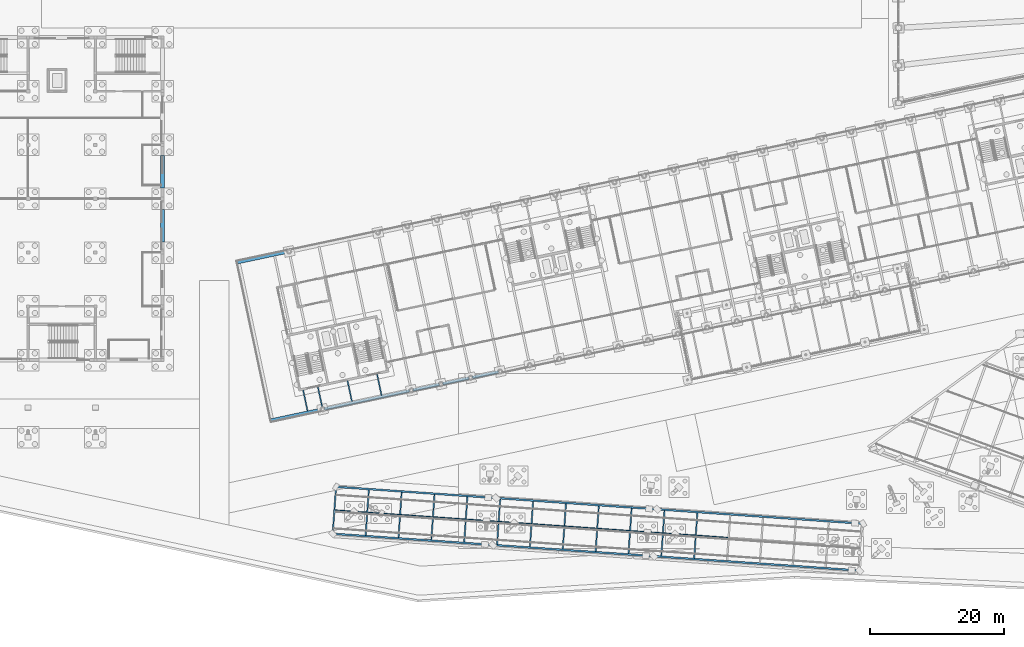
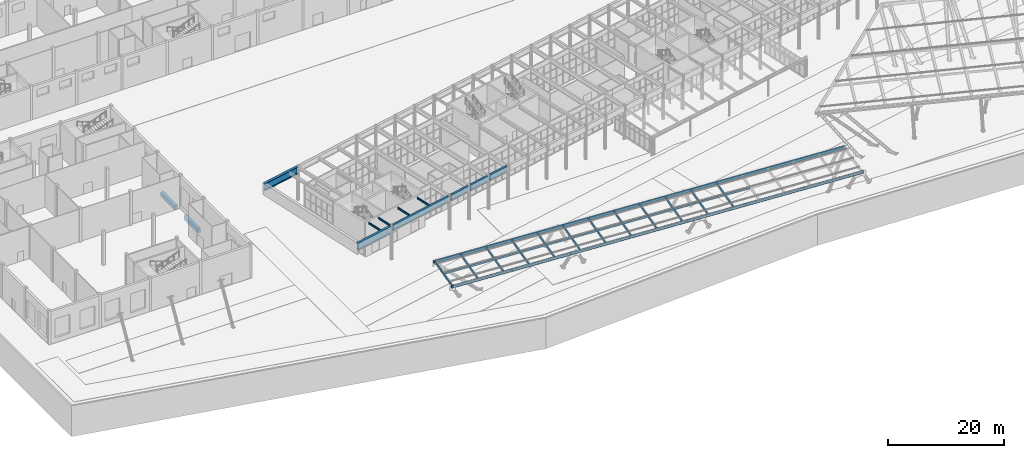
# One storey, part 50 of 239: 38 beams.
"""IFC4 building model written with IfcOpenShell, lengths in metres."""

from ifc_helpers import new_model, si_unit, direction, frame, origin, origin_2d, place, context, subcontext, project, spatial, rectangle, hollow_rectangle, i_section, extrude, material, material_profile, profile_set, type_object, element, save


model = new_model("IFC4")

# Units and contexts
model_context = context("Model", 3, precision=1e-05, world=origin(), true_north=direction((0.0, 1.0)))
body_context = subcontext(model_context, "Body", "Model", "MODEL_VIEW")
ifc_project = project(units=[si_unit("LENGTHUNIT", "METRE"), si_unit("AREAUNIT", "SQUARE_METRE"), si_unit("VOLUMEUNIT", "CUBIC_METRE"), si_unit("PLANEANGLEUNIT", "RADIAN"), si_unit("MASSUNIT", "GRAM", prefix="KILO")], contexts=[model_context])

# Site, building, storey
site_placement = place(None, origin())
site = spatial("IfcSite", under=ifc_project, at=site_placement, CompositionType="ELEMENT")
building_placement = place(site_placement, origin())
building = spatial("IfcBuilding", under=site, at=building_placement, Name="Okhra Congress Centre", CompositionType="ELEMENT")
storey_placement = place(building_placement, origin())
storey = spatial("IfcBuildingStorey", under=building, at=storey_placement, Name="L00", CompositionType="ELEMENT", Elevation=0.0)

# Beams
ifc_material_1 = material(Name="Steel S355J2H", Category="steel")
ifc_material_profile_1 = material_profile(ifc_material_1, hollow_rectangle(XDim=0.25, YDim=0.5, WallThickness=0.012451171875, at=origin_2d()), Name="RHS 500x250x12.5")
ifc_profile_set_1 = profile_set([ifc_material_profile_1], Name="Steel S355J2H")
beam_type_1 = type_object("IfcBeamType", Name="Canopy edge beam RHS 500x250x12.5", PredefinedType="BEAM", material=ifc_profile_set_1)
for number, where, z_axis, x_axis, name in (
    (1, (71.06494140625, 10.176025390625, 4.86328125), (0.997564156869, -0.06975494914, 0.0), (0.06975494914, 0.997564156869, 0.0), "Covered promenade edge beam S"),
    (2, (71.55322265625, 17.1591796875, 5.722900390625), (0.997563941547, -0.069758028389, 0.0), (0.069758028389, 0.997563941547, 0.0), "Covered promenade edge beam N"),
):
    element("IfcBeam", number, at=place(storey_placement, frame(where, z_axis=z_axis, x_axis=x_axis)), inside=storey, type_object=beam_type_1, Name=name, PredefinedType="BEAM", context=body_context, shape_type="SweptSolid", body=[
        extrude(hollow_rectangle(XDim=0.25, YDim=0.5, WallThickness=0.012451171875, at=origin_2d()), origin(), (0.0, 0.0, 1.0), 78.89990234375),
    ])
ifc_material_profile_2 = material_profile(ifc_material_1, hollow_rectangle(XDim=0.199951171875, YDim=0.39990234375, WallThickness=0.012451171875, at=origin_2d()), Name="RHS 400x200x12.5")
ifc_profile_set_2 = profile_set([ifc_material_profile_2], Name="Steel S355J2H")
beam_type_2 = type_object("IfcBeamType", Name="Canopy primary beam RHS 400x200x12.5", PredefinedType="BEAM", material=ifc_profile_set_2)
for number, where, z_axis, x_axis, name in (
    (3, (71.32373046875, 10.29345703125, 4.94384765625), (0.069239691269, 0.990131185757, 0.121844573715), (-0.997563841748, 0.069759455532, 0.0), "Covered promenade primary beam 1"),
    (4, (76.211669921875, 9.95166015625, 4.94384765625), (0.069239691269, 0.990131185757, 0.121844573715), (-0.997563841748, 0.069759455532, 0.0), "Covered promenade primary beam 2"),
    (5, (81.099853515625, 9.60986328125, 4.94384765625), (0.069239691269, 0.990131185757, 0.121844573715), (-0.997563841748, 0.069759455532, 0.0), "Covered promenade primary beam 3"),
):
    element("IfcBeam", number, at=place(storey_placement, frame(where, z_axis=z_axis, x_axis=x_axis)), inside=storey, type_object=beam_type_2, Name=name, PredefinedType="BEAM", context=body_context, shape_type="SweptSolid", body=[
        extrude(hollow_rectangle(XDim=0.199951171875, YDim=0.39990234375, WallThickness=0.012451171875, at=origin_2d()), origin(), (0.0, 0.0, 1.0), 6.780517578125),
    ])
for number, where, z_axis, x_axis, name in (
    (6, (85.98779296875, 9.26806640625, 4.94384765625), (0.069242159803, 0.990130478552, 0.121848917718), (-0.997563665204, 0.069761980078, 0.0), "Covered promenade primary beam 4"),
    (7, (90.8759765625, 8.92626953125, 4.94384765625), (0.069242159803, 0.990130478552, 0.121848917718), (-0.997563665204, 0.069761980078, 0.0), "Covered promenade primary beam 5"),
):
    element("IfcBeam", number, at=place(storey_placement, frame(where, z_axis=z_axis, x_axis=x_axis)), inside=storey, type_object=beam_type_2, Name=name, PredefinedType="BEAM", context=body_context, shape_type="SweptSolid", body=[
        extrude(hollow_rectangle(XDim=0.199951171875, YDim=0.39990234375, WallThickness=0.012451171875, at=origin_2d()), origin(), (0.0, 0.0, 1.0), 6.7802734375),
    ])
for number, where, z_axis, x_axis, name in (
    (8, (95.763916015625, 8.584228515625, 4.94384765625), (0.069239691269, 0.990131185757, 0.121844573715), (-0.997563841748, 0.069759455532, 0.0), "Covered promenade primary beam 6"),
    (9, (100.652099609375, 8.242431640625, 4.94384765625), (0.069239691269, 0.990131185757, 0.121844573715), (-0.997563841748, 0.069759455532, 0.0), "Covered promenade primary beam 7"),
    (10, (105.5400390625, 7.900634765625, 4.94384765625), (0.069239691269, 0.990131185757, 0.121844573715), (-0.997563841748, 0.069759455532, 0.0), "Covered promenade primary beam 8"),
    (11, (110.42822265625, 7.558837890625, 4.94384765625), (0.069239691269, 0.990131185757, 0.121844573715), (-0.997563841748, 0.069759455532, 0.0), "Covered promenade primary beam 9"),
    (12, (115.316162109375, 7.217041015625, 4.94384765625), (0.069239691269, 0.990131185757, 0.121844573715), (-0.997563841748, 0.069759455532, 0.0), "Covered promenade primary beam 10"),
    (13, (120.204345703125, 6.875244140625, 4.94384765625), (0.069239691269, 0.990131185757, 0.121844573715), (-0.997563841748, 0.069759455532, 0.0), "Covered promenade primary beam 11"),
    (14, (125.09228515625, 6.533447265625, 4.94384765625), (0.069239691269, 0.990131185757, 0.121844573715), (-0.997563841748, 0.069759455532, 0.0), "Covered promenade primary beam 12"),
):
    element("IfcBeam", number, at=place(storey_placement, frame(where, z_axis=z_axis, x_axis=x_axis)), inside=storey, type_object=beam_type_2, Name=name, PredefinedType="BEAM", context=body_context, shape_type="SweptSolid", body=[
        extrude(hollow_rectangle(XDim=0.199951171875, YDim=0.39990234375, WallThickness=0.012451171875, at=origin_2d()), origin(), (0.0, 0.0, 1.0), 6.780517578125),
    ])
ifc_material_profile_3 = material_profile(ifc_material_1, hollow_rectangle(XDim=0.14990234375, YDim=0.300048828125, WallThickness=0.008056640625, at=origin_2d()), Name="RHS 300x150x8")
ifc_profile_set_3 = profile_set([ifc_material_profile_3], Name="Steel S355J2H")
beam_type_3 = type_object("IfcBeamType", Name="Canopy secondary beam RHS 300x150x8", PredefinedType="BEAM", material=ifc_profile_set_3)
beam_1_placement = place(storey_placement, frame((71.668212890625, 13.642578125, 5.399169921875), z_axis=(0.997564560272, -0.06974917985, 0.0), x_axis=(0.06974917985, 0.997564560272, 0.0)))
element("IfcBeam", 15, at=beam_1_placement, inside=storey, type_object=beam_type_3, Name="Covered promenade secondary beam 1", PredefinedType="BEAM", context=body_context, shape_type="SweptSolid", body=[
    extrude(hollow_rectangle(XDim=0.14990234375, YDim=0.300048828125, WallThickness=0.008056640625, at=origin_2d()), origin(), (0.0, 0.0, 1.0), 4.679931640625),
])
beam_2_placement = place(storey_placement, frame((76.55615234375, 13.30078125, 5.399169921875), z_axis=(0.997561183245, -0.069797461862, 0.0), x_axis=(0.069797461862, 0.997561183245, 0.0)))
element("IfcBeam", 16, at=beam_2_placement, inside=storey, type_object=beam_type_3, Name="Covered promenade secondary beam 2", PredefinedType="BEAM", context=body_context, shape_type="SweptSolid", body=[
    extrude(hollow_rectangle(XDim=0.14990234375, YDim=0.300048828125, WallThickness=0.008056640625, at=origin_2d()), origin(), (0.0, 0.0, 1.0), 4.68017578125),
])
beam_3_placement = place(storey_placement, frame((81.4443359375, 12.958984375, 5.399169921875), z_axis=(0.997560929091, -0.069801094191, 0.0), x_axis=(0.069801094191, 0.997560929091, 0.0)))
element("IfcBeam", 17, at=beam_3_placement, inside=storey, type_object=beam_type_3, Name="Covered promenade secondary beam 3", PredefinedType="BEAM", context=body_context, shape_type="SweptSolid", body=[
    extrude(hollow_rectangle(XDim=0.14990234375, YDim=0.300048828125, WallThickness=0.008056640625, at=origin_2d()), origin(), (0.0, 0.0, 1.0), 4.679931640625),
])
beam_4_placement = place(storey_placement, frame((86.332275390625, 12.6171875, 5.399169921875), z_axis=(0.997561183245, -0.069797461862, 0.0), x_axis=(0.069797461862, 0.997561183245, 0.0)))
element("IfcBeam", 18, at=beam_4_placement, inside=storey, type_object=beam_type_3, Name="Covered promenade secondary beam 4", PredefinedType="BEAM", context=body_context, shape_type="SweptSolid", body=[
    extrude(hollow_rectangle(XDim=0.14990234375, YDim=0.300048828125, WallThickness=0.008056640625, at=origin_2d()), origin(), (0.0, 0.0, 1.0), 4.68017578125),
])
beam_5_placement = place(storey_placement, frame((91.220458984375, 12.275390625, 5.399169921875), z_axis=(0.997560929091, -0.069801094191, 0.0), x_axis=(0.069801094191, 0.997560929091, 0.0)))
element("IfcBeam", 19, at=beam_5_placement, inside=storey, type_object=beam_type_3, Name="Covered promenade secondary beam 5", PredefinedType="BEAM", context=body_context, shape_type="SweptSolid", body=[
    extrude(hollow_rectangle(XDim=0.14990234375, YDim=0.300048828125, WallThickness=0.008056640625, at=origin_2d()), origin(), (0.0, 0.0, 1.0), 4.679931640625),
])
beam_6_placement = place(storey_placement, frame((96.1083984375, 11.93359375, 5.399169921875), z_axis=(0.997561183245, -0.069797461862, 0.0), x_axis=(0.069797461862, 0.997561183245, 0.0)))
element("IfcBeam", 20, at=beam_6_placement, inside=storey, type_object=beam_type_3, Name="Covered promenade secondary beam 6", PredefinedType="BEAM", context=body_context, shape_type="SweptSolid", body=[
    extrude(hollow_rectangle(XDim=0.14990234375, YDim=0.300048828125, WallThickness=0.008056640625, at=origin_2d()), origin(), (0.0, 0.0, 1.0), 4.68017578125),
])
beam_7_placement = place(storey_placement, frame((100.99658203125, 11.591552734375, 5.399169921875), z_axis=(0.997564560272, -0.06974917985, 0.0), x_axis=(0.06974917985, 0.997564560272, 0.0)))
element("IfcBeam", 21, at=beam_7_placement, inside=storey, type_object=beam_type_3, Name="Covered promenade secondary beam 7", PredefinedType="BEAM", context=body_context, shape_type="SweptSolid", body=[
    extrude(hollow_rectangle(XDim=0.14990234375, YDim=0.300048828125, WallThickness=0.008056640625, at=origin_2d()), origin(), (0.0, 0.0, 1.0), 4.679931640625),
])
beam_8_placement = place(storey_placement, frame((105.884521484375, 11.249755859375, 5.399169921875), z_axis=(0.997564814049, -0.069745550195, 0.0), x_axis=(0.069745550195, 0.997564814049, 0.0)))
element("IfcBeam", 22, at=beam_8_placement, inside=storey, type_object=beam_type_3, Name="Covered promenade secondary beam 8", PredefinedType="BEAM", context=body_context, shape_type="SweptSolid", body=[
    extrude(hollow_rectangle(XDim=0.14990234375, YDim=0.300048828125, WallThickness=0.008056640625, at=origin_2d()), origin(), (0.0, 0.0, 1.0), 4.68017578125),
])
beam_9_placement = place(storey_placement, frame((110.772705078125, 10.907958984375, 5.399169921875), z_axis=(0.997564560272, -0.06974917985, 0.0), x_axis=(0.06974917985, 0.997564560272, 0.0)))
element("IfcBeam", 23, at=beam_9_placement, inside=storey, type_object=beam_type_3, Name="Covered promenade secondary beam 9", PredefinedType="BEAM", context=body_context, shape_type="SweptSolid", body=[
    extrude(hollow_rectangle(XDim=0.14990234375, YDim=0.300048828125, WallThickness=0.008056640625, at=origin_2d()), origin(), (0.0, 0.0, 1.0), 4.679931640625),
])
beam_10_placement = place(storey_placement, frame((115.66064453125, 10.566162109375, 5.399169921875), z_axis=(0.997564814049, -0.069745550195, 0.0), x_axis=(0.069745550195, 0.997564814049, 0.0)))
element("IfcBeam", 24, at=beam_10_placement, inside=storey, type_object=beam_type_3, Name="Covered promenade secondary beam 10", PredefinedType="BEAM", context=body_context, shape_type="SweptSolid", body=[
    extrude(hollow_rectangle(XDim=0.14990234375, YDim=0.300048828125, WallThickness=0.008056640625, at=origin_2d()), origin(), (0.0, 0.0, 1.0), 4.68017578125),
])
beam_11_placement = place(storey_placement, frame((120.548828125, 10.224365234375, 5.399169921875), z_axis=(0.997564560272, -0.06974917985, 0.0), x_axis=(0.06974917985, 0.997564560272, 0.0)))
element("IfcBeam", 25, at=beam_11_placement, inside=storey, type_object=beam_type_3, Name="Covered promenade secondary beam 11", PredefinedType="BEAM", context=body_context, shape_type="SweptSolid", body=[
    extrude(hollow_rectangle(XDim=0.14990234375, YDim=0.300048828125, WallThickness=0.008056640625, at=origin_2d()), origin(), (0.0, 0.0, 1.0), 4.679931640625),
])
beam_12_placement = place(storey_placement, frame((125.436767578125, 9.882568359375, 5.399169921875), z_axis=(0.997564814049, -0.069745550195, 0.0), x_axis=(0.069745550195, 0.997564814049, 0.0)))
element("IfcBeam", 26, at=beam_12_placement, inside=storey, type_object=beam_type_3, Name="Covered promenade secondary beam 12", PredefinedType="BEAM", context=body_context, shape_type="SweptSolid", body=[
    extrude(hollow_rectangle(XDim=0.14990234375, YDim=0.300048828125, WallThickness=0.008056640625, at=origin_2d()), origin(), (0.0, 0.0, 1.0), 4.68017578125),
])
ifc_material_2 = material(Name="Steel S355J2", Category="steel")
ifc_material_profile_4 = material_profile(ifc_material_2, i_section(OverallWidth=0.449951171875, OverallDepth=1.5, WebThickness=0.030029296875, FlangeThickness=0.06005859375, at=origin_2d()), Name="Plate girder 1500x450")
ifc_profile_set_4 = profile_set([ifc_material_profile_4], Name="Steel S355J2")
beam_type_4 = type_object("IfcBeamType", Name="Cantilever plate girder 1500x450", PredefinedType="BEAM", material=ifc_profile_set_4)
for number, where, z_axis, x_axis, name in (
    (27, (62.0869140625, 27.037841796875, 6.300048828125), (0.978144079206, 0.207928257615, 0.0), (-0.207928257615, 0.978144079206, 0.0), "Cantilever girder S1"),
    (28, (57.09716796875, 50.513427734375, 6.300048828125), (0.978142698674, 0.207934751861, 0.0), (-0.207934751861, 0.978142698674, 0.0), "Cantilever girder N1"),
):
    element("IfcBeam", number, at=place(storey_placement, frame(where, z_axis=z_axis, x_axis=x_axis)), inside=storey, type_object=beam_type_4, Name=name, PredefinedType="BEAM", context=body_context, shape_type="SweptSolid", body=[
        extrude(i_section(OverallWidth=0.449951171875, OverallDepth=1.5, WebThickness=0.030029296875, FlangeThickness=0.06005859375, at=origin_2d()), origin(), (0.0, 0.0, 1.0), 7.64599609375),
    ])
ifc_material_profile_5 = material_profile(ifc_material_2, i_section(OverallWidth=0.179931640625, OverallDepth=0.39990234375, WebThickness=0.008544921875, FlangeThickness=0.013427734375, FilletRadius=0.02099609375, at=origin_2d()), Name="IPE 400")
ifc_profile_set_5 = profile_set([ifc_material_profile_5], Name="Steel S355J2")
beam_type_5 = type_object("IfcBeamType", Name="Floor beam stub IPE 400", PredefinedType="BEAM", material=ifc_profile_set_5)
beam_13_placement = place(storey_placement, frame((67.566650390625, 28.4326171875, 6.85009765625), z_axis=(-0.207861536591, 0.97815826, 0.0), x_axis=(-0.97815826, -0.207861536591, 0.0)))
element("IfcBeam", 29, at=beam_13_placement, inside=storey, type_object=beam_type_5, Name="Floor beam 1.1", PredefinedType="BEAM", context=body_context, shape_type="SweptSolid", body=[
    extrude(i_section(OverallWidth=0.179931640625, OverallDepth=0.39990234375, WebThickness=0.008544921875, FlangeThickness=0.013427734375, FilletRadius=0.02099609375, at=origin_2d()), origin(), (0.0, 0.0, 1.0), 3.150146484375),
])
beam_14_placement = place(storey_placement, frame((69.772705078125, 28.8759765625, 6.85009765625), z_axis=(-0.207916691923, 0.978146537703, 0.0), x_axis=(-0.978146537703, -0.207916691923, 0.0)))
element("IfcBeam", 30, at=beam_14_placement, inside=storey, type_object=beam_type_5, Name="Floor beam 2.1", PredefinedType="BEAM", context=body_context, shape_type="SweptSolid", body=[
    extrude(i_section(OverallWidth=0.179931640625, OverallDepth=0.39990234375, WebThickness=0.008544921875, FlangeThickness=0.013427734375, FilletRadius=0.02099609375, at=origin_2d()), origin(), (0.0, 0.0, 1.0), 3.175048828125),
])
for number, where, z_axis, x_axis, name in (
    (31, (74.17431640625, 29.811767578125, 6.85009765625), (-0.207932330883, 0.978143213325, 0.0), (-0.978143213325, -0.207932330883, 0.0), "Floor beam 3.1"),
    (32, (78.576171875, 30.747314453125, 6.85009765625), (-0.207932330883, 0.978143213325, 0.0), (-0.978143213325, -0.207932330883, 0.0), "Floor beam 4.1"),
):
    element("IfcBeam", number, at=place(storey_placement, frame(where, z_axis=z_axis, x_axis=x_axis)), inside=storey, type_object=beam_type_5, Name=name, PredefinedType="BEAM", context=body_context, shape_type="SweptSolid", body=[
        extrude(i_section(OverallWidth=0.179931640625, OverallDepth=0.39990234375, WebThickness=0.008544921875, FlangeThickness=0.013427734375, FilletRadius=0.02099609375, at=origin_2d()), origin(), (0.0, 0.0, 1.0), 3.1748046875),
    ])
ifc_material_profile_6 = material_profile(ifc_material_2, i_section(OverallWidth=0.39990234375, OverallDepth=1.199951171875, WebThickness=0.02490234375, FlangeThickness=0.050048828125, at=origin_2d()), Name="Plate girder 1200x400")
ifc_profile_set_6 = profile_set([ifc_material_profile_6], Name="Steel S355J2")
beam_type_6 = type_object("IfcBeamType", Name="Perimeter plate girder 1200x400", PredefinedType="BEAM", material=ifc_profile_set_6)
beam_15_placement = place(storey_placement, frame((70.062744140625, 28.733154296875, 6.449951171875), z_axis=(0.97814757837, 0.207911796032, 0.0), x_axis=(-0.207911796032, 0.97814757837, 0.0)))
element("IfcBeam", 33, at=beam_15_placement, inside=storey, type_object=beam_type_6, Name="Perimeter girder S2", PredefinedType="BEAM", context=body_context, shape_type="SweptSolid", body=[
    extrude(i_section(OverallWidth=0.39990234375, OverallDepth=1.199951171875, WebThickness=0.02490234375, FlangeThickness=0.050048828125, at=origin_2d()), origin(), (0.0, 0.0, 1.0), 12.991943359375),
])
for number, where, z_axis, x_axis, name in (
    (34, (83.267822265625, 31.5400390625, 6.449951171875), (0.978142994281, 0.207933361295, 0.0), (-0.207933361295, 0.978142994281, 0.0), "Perimeter girder S3"),
    (35, (87.66943359375, 32.4755859375, 6.449951171875), (0.978142994281, 0.207933361295, 0.0), (-0.207933361295, 0.978142994281, 0.0), "Perimeter girder S4"),
    (36, (92.071044921875, 33.411376953125, 6.449951171875), (0.978155431297, 0.207874847504, 0.0), (-0.207874847504, 0.978155431297, 0.0), "Perimeter girder S5"),
):
    element("IfcBeam", number, at=place(storey_placement, frame(where, z_axis=z_axis, x_axis=x_axis)), inside=storey, type_object=beam_type_6, Name=name, PredefinedType="BEAM", context=body_context, shape_type="SweptSolid", body=[
        extrude(i_section(OverallWidth=0.39990234375, OverallDepth=1.199951171875, WebThickness=0.02490234375, FlangeThickness=0.050048828125, at=origin_2d()), origin(), (0.0, 0.0, 1.0), 3.991943359375),
    ])
ifc_material_3 = material(Name="Concrete C30/37", Category="concrete")
ifc_material_profile_7 = material_profile(ifc_material_3, rectangle(XDim=0.60009765625, YDim=0.89990234375, at=origin_2d()), Name="RC 600x900")
ifc_profile_set_7 = profile_set([ifc_material_profile_7], Name="Concrete C30/37")
beam_type_7 = type_object("IfcBeamType", Name="RC ground beam 600x900 C30/37", PredefinedType="BEAM", material=ifc_profile_set_7)
for number, where, z_axis, x_axis, name in (
    (37, (46.0, 53.60009765625, -0.85009765625), (0.0, 1.0, 0.0), (-1.0, 0.0, 0.0), "RS.BEAM.L00.17"),
    (38, (46.0, 61.60009765625, -0.85009765625), (0.0, 1.0, 0.0), (-1.0, 0.0, 0.0), "RS.BEAM.L00.18"),
):
    element("IfcBeam", number, at=place(storey_placement, frame(where, z_axis=z_axis, x_axis=x_axis)), inside=storey, type_object=beam_type_7, Name=name, PredefinedType="BEAM", context=body_context, shape_type="SweptSolid", body=[
        extrude(rectangle(XDim=0.60009765625, YDim=0.89990234375, at=origin_2d()), origin(), (0.0, 0.0, 1.0), 4.7998046875),
    ])

save(model, "model.ifc")
